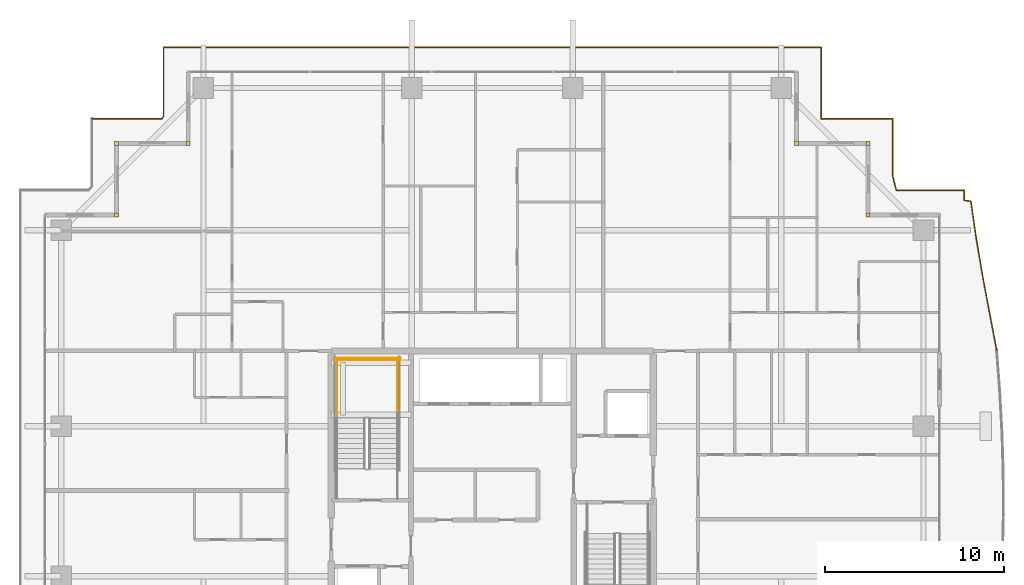
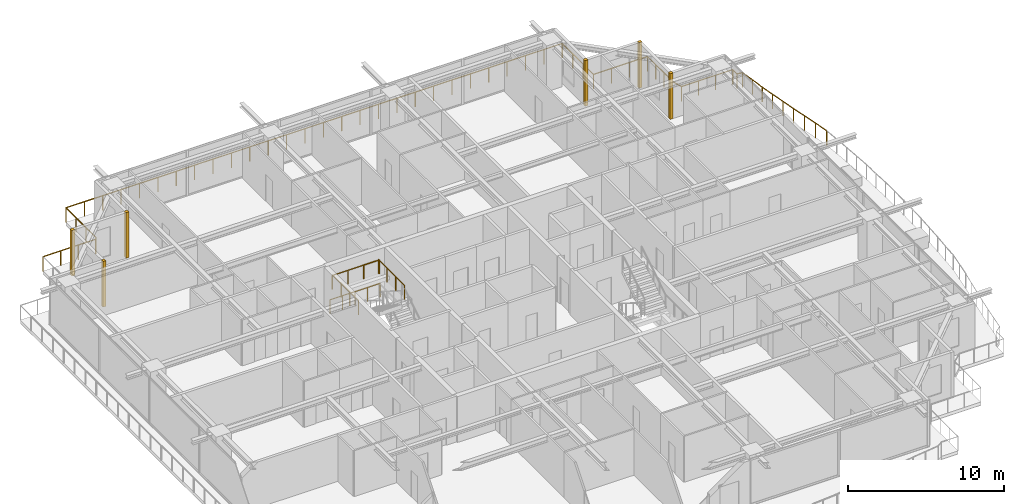
# One storey, part 38 of 38: 6 coverings, 6 railings.
"""IFC4 building model written with IfcOpenShell, lengths in metres."""

from ifc_helpers import new_model, si_unit, direction, frame, origin, origin_2d, place, context, subcontext, project, spatial, rectangle, circle, extrude, source, transform, mapped, material, layer, layer_set, type_object, element, save


model = new_model("IFC4")

# Units and contexts
model_context = context("Model", 3, precision=1e-05, world=origin(), true_north=direction((0.0, 1.0)))
body_context = subcontext(model_context, "Body", "Model", "MODEL_VIEW")
ifc_project = project(units=[si_unit("LENGTHUNIT", "METRE"), si_unit("AREAUNIT", "SQUARE_METRE"), si_unit("VOLUMEUNIT", "CUBIC_METRE"), si_unit("PLANEANGLEUNIT", "RADIAN"), si_unit("MASSUNIT", "GRAM", prefix="KILO")], contexts=[model_context])

# Site, building, storey
site_placement = place(None, origin())
site = spatial("IfcSite", under=ifc_project, at=site_placement, CompositionType="ELEMENT")
building_placement = place(site_placement, origin())
building = spatial("IfcBuilding", under=site, at=building_placement, Name="Serunith Strait Residences", CompositionType="ELEMENT")
storey_placement = place(building_placement, frame((0.0, 0.0, 245.10009765625)))
storey = spatial("IfcBuildingStorey", under=building, at=storey_placement, Name="L61", CompositionType="ELEMENT", Elevation=245.10009765625)

# Railings
ifc_material_1 = material(Name="Stainless Steel & Laminated Glass Balustrade", Category="steel")
railing_type_1 = type_object("IfcRailingType", Name="RLG-BALC-1150", PredefinedType="BALUSTRADE", material=ifc_material_1)
railing_1_placement = place(storey_placement, frame((10.02001953125, 46.580078125, -0.050048828125)))
element("IfcRailing", 1, at=railing_1_placement, inside=storey, type_object=railing_type_1, Name="L61 Swirling Balcony Perimeter Balustrade 2", PredefinedType="BALUSTRADE", context=body_context, shape_type="SweptSolid", body=[
    extrude(circle(Radius=0.02392578125, at=origin_2d()), frame((0.001953125, 0.0, 1.1259765625), z_axis=(1.0, 0.0, 0.0), x_axis=(0.0, 1.0, 0.0)), (0.0, 0.0, 1.0), 3.89501953125),
    extrude(circle(Radius=0.02392578125, at=origin_2d()), frame((3.89990234375, 0.001708984375, 1.1259765625), z_axis=(0.547356223896, 0.836899733638, 0.0), x_axis=(-0.836899733638, 0.547356223896, 0.0)), (0.0, 0.0, 1.0), 0.1806640625),
    extrude(circle(Radius=0.02392578125, at=origin_2d()), frame((4.0, 0.156494140625, 1.1259765625), z_axis=(0.0, 1.0, 0.0), x_axis=(-1.0, 0.0, 0.0)), (0.0, 0.0, 1.0), 3.841552734375),
    extrude(circle(Radius=0.02392578125, at=origin_2d()), frame((4.001953125, 4.0, 1.1259765625), z_axis=(1.0, 0.0, 0.0), x_axis=(0.0, 1.0, 0.0)), (0.0, 0.0, 1.0), 36.756103515625),
    extrude(circle(Radius=0.02392578125, at=origin_2d()), frame((40.760009765625, 3.998046875, 1.1259765625), z_axis=(0.0, -1.0, 0.0), x_axis=(1.0, 0.0, 0.0)), (0.0, 0.0, 1.0), 3.99609375),
    extrude(circle(Radius=0.02392578125, at=origin_2d()), frame((40.761962890625, 0.0, 1.1259765625), z_axis=(1.0, 0.0, 0.0), x_axis=(0.0, 1.0, 0.0)), (0.0, 0.0, 1.0), 3.99609375),
    extrude(circle(Radius=0.02392578125, at=origin_2d()), frame((44.760009765625, -0.001953125, 1.1259765625), z_axis=(0.0, -1.0, 0.0), x_axis=(1.0, 0.0, 0.0)), (0.0, 0.0, 1.0), 3.17578125),
    extrude(circle(Radius=0.02392578125, at=origin_2d()), frame((44.760498046875, -3.181640625, 1.1259765625), z_axis=(0.23845300053, -0.971154038522, 0.0), x_axis=(0.971154038522, 0.23845300053, 0.0)), (0.0, 0.0, 1.0), 0.840576171875),
    extrude(circle(Radius=0.02099609375, at=origin_2d()), origin(), (0.0, 0.0, 1.0), 1.099853515625),
    extrude(circle(Radius=0.02099609375, at=origin_2d()), frame((1.299560546875, 0.0, 0.0)), (0.0, 0.0, 1.0), 1.099853515625),
    extrude(circle(Radius=0.02099609375, at=origin_2d()), frame((2.599365234375, 0.0, 0.0)), (0.0, 0.0, 1.0), 1.099853515625),
    extrude(circle(Radius=0.02099609375, at=origin_2d()), frame((3.89892578125, 0.0, 0.0)), (0.0, 0.0, 1.0), 1.099853515625),
    extrude(circle(Radius=0.02099609375, at=origin_2d()), frame((4.0, 0.154541015625, 0.0)), (0.0, 0.0, 1.0), 1.099853515625),
    extrude(circle(Radius=0.02099609375, at=origin_2d()), frame((4.0, 1.436279296875, 0.0)), (0.0, 0.0, 1.0), 1.099853515625),
    extrude(circle(Radius=0.02099609375, at=origin_2d()), frame((4.0, 2.71826171875, 0.0)), (0.0, 0.0, 1.0), 1.099853515625),
    extrude(circle(Radius=0.02099609375, at=origin_2d()), frame((4.0, 4.0, 0.0)), (0.0, 0.0, 1.0), 1.099853515625),
    extrude(circle(Radius=0.02099609375, at=origin_2d()), frame((5.361572265625, 4.0, 0.0)), (0.0, 0.0, 1.0), 1.099853515625),
    extrude(circle(Radius=0.02099609375, at=origin_2d()), frame((6.722900390625, 4.0, 0.0)), (0.0, 0.0, 1.0), 1.099853515625),
    extrude(circle(Radius=0.02099609375, at=origin_2d()), frame((8.08447265625, 4.0, 0.0)), (0.0, 0.0, 1.0), 1.099853515625),
    extrude(circle(Radius=0.02099609375, at=origin_2d()), frame((9.446044921875, 4.0, 0.0)), (0.0, 0.0, 1.0), 1.099853515625),
    extrude(circle(Radius=0.02099609375, at=origin_2d()), frame((10.807373046875, 4.0, 0.0)), (0.0, 0.0, 1.0), 1.099853515625),
    extrude(circle(Radius=0.02099609375, at=origin_2d()), frame((12.1689453125, 4.0, 0.0)), (0.0, 0.0, 1.0), 1.099853515625),
    extrude(circle(Radius=0.02099609375, at=origin_2d()), frame((13.5302734375, 4.0, 0.0)), (0.0, 0.0, 1.0), 1.099853515625),
    extrude(circle(Radius=0.02099609375, at=origin_2d()), frame((14.891845703125, 4.0, 0.0)), (0.0, 0.0, 1.0), 1.099853515625),
    extrude(circle(Radius=0.02099609375, at=origin_2d()), frame((16.25341796875, 4.0, 0.0)), (0.0, 0.0, 1.0), 1.099853515625),
    extrude(circle(Radius=0.02099609375, at=origin_2d()), frame((17.61474609375, 4.0, 0.0)), (0.0, 0.0, 1.0), 1.099853515625),
    extrude(circle(Radius=0.02099609375, at=origin_2d()), frame((18.976318359375, 4.0, 0.0)), (0.0, 0.0, 1.0), 1.099853515625),
    extrude(circle(Radius=0.02099609375, at=origin_2d()), frame((20.337890625, 4.0, 0.0)), (0.0, 0.0, 1.0), 1.099853515625),
    extrude(circle(Radius=0.02099609375, at=origin_2d()), frame((21.69921875, 4.0, 0.0)), (0.0, 0.0, 1.0), 1.099853515625),
    extrude(circle(Radius=0.02099609375, at=origin_2d()), frame((23.060791015625, 4.0, 0.0)), (0.0, 0.0, 1.0), 1.099853515625),
    extrude(circle(Radius=0.02099609375, at=origin_2d()), frame((24.422119140625, 4.0, 0.0)), (0.0, 0.0, 1.0), 1.099853515625),
    extrude(circle(Radius=0.02099609375, at=origin_2d()), frame((25.78369140625, 4.0, 0.0)), (0.0, 0.0, 1.0), 1.099853515625),
    extrude(circle(Radius=0.02099609375, at=origin_2d()), frame((27.145263671875, 4.0, 0.0)), (0.0, 0.0, 1.0), 1.099853515625),
    extrude(circle(Radius=0.02099609375, at=origin_2d()), frame((28.506591796875, 4.0, 0.0)), (0.0, 0.0, 1.0), 1.099853515625),
    extrude(circle(Radius=0.02099609375, at=origin_2d()), frame((29.8681640625, 4.0, 0.0)), (0.0, 0.0, 1.0), 1.099853515625),
    extrude(circle(Radius=0.02099609375, at=origin_2d()), frame((31.229736328125, 4.0, 0.0)), (0.0, 0.0, 1.0), 1.099853515625),
    extrude(circle(Radius=0.02099609375, at=origin_2d()), frame((32.591064453125, 4.0, 0.0)), (0.0, 0.0, 1.0), 1.099853515625),
    extrude(circle(Radius=0.02099609375, at=origin_2d()), frame((33.95263671875, 4.0, 0.0)), (0.0, 0.0, 1.0), 1.099853515625),
    extrude(circle(Radius=0.02099609375, at=origin_2d()), frame((35.31396484375, 4.0, 0.0)), (0.0, 0.0, 1.0), 1.099853515625),
    extrude(circle(Radius=0.02099609375, at=origin_2d()), frame((36.675537109375, 4.0, 0.0)), (0.0, 0.0, 1.0), 1.099853515625),
    extrude(circle(Radius=0.02099609375, at=origin_2d()), frame((38.037109375, 4.0, 0.0)), (0.0, 0.0, 1.0), 1.099853515625),
    extrude(circle(Radius=0.02099609375, at=origin_2d()), frame((39.3984375, 4.0, 0.0)), (0.0, 0.0, 1.0), 1.099853515625),
    extrude(circle(Radius=0.02099609375, at=origin_2d()), frame((40.760009765625, 4.0, 0.0)), (0.0, 0.0, 1.0), 1.099853515625),
    extrude(circle(Radius=0.02099609375, at=origin_2d()), frame((40.760009765625, 2.666748046875, 0.0)), (0.0, 0.0, 1.0), 1.099853515625),
    extrude(circle(Radius=0.02099609375, at=origin_2d()), frame((40.760009765625, 1.333251953125, 0.0)), (0.0, 0.0, 1.0), 1.099853515625),
    extrude(circle(Radius=0.02099609375, at=origin_2d()), frame((40.760009765625, 0.0, 0.0)), (0.0, 0.0, 1.0), 1.099853515625),
    extrude(circle(Radius=0.02099609375, at=origin_2d()), frame((42.09326171875, 0.0, 0.0)), (0.0, 0.0, 1.0), 1.099853515625),
    extrude(circle(Radius=0.02099609375, at=origin_2d()), frame((43.4267578125, 0.0, 0.0)), (0.0, 0.0, 1.0), 1.099853515625),
    extrude(circle(Radius=0.02099609375, at=origin_2d()), frame((44.760009765625, 0.0, 0.0)), (0.0, 0.0, 1.0), 1.099853515625),
    extrude(circle(Radius=0.02099609375, at=origin_2d()), frame((44.760009765625, -1.059814453125, 0.0)), (0.0, 0.0, 1.0), 1.099853515625),
    extrude(circle(Radius=0.02099609375, at=origin_2d()), frame((44.760009765625, -2.119873046875, 0.0)), (0.0, 0.0, 1.0), 1.099853515625),
    extrude(circle(Radius=0.02099609375, at=origin_2d()), frame((44.760009765625, -3.1796875, 0.0)), (0.0, 0.0, 1.0), 1.099853515625),
    extrude(circle(Radius=0.02099609375, at=origin_2d()), frame((44.96142578125, -4.0, 0.0)), (0.0, 0.0, 1.0), 1.099853515625),
])
railing_2_placement = place(storey_placement, frame((54.9814453125, 42.580078125, -0.050048828125)))
element("IfcRailing", 2, at=railing_2_placement, inside=storey, type_object=railing_type_1, Name="L61 Swirling Balcony Perimeter Balustrade 3", PredefinedType="BALUSTRADE", context=body_context, shape_type="SweptSolid", body=[
    extrude(circle(Radius=0.02392578125, at=origin_2d()), frame((0.001953125, 0.0, 1.1259765625), z_axis=(1.0, 0.0, 0.0), x_axis=(0.0, 1.0, 0.0)), (0.0, 0.0, 1.0), 3.794677734375),
    extrude(circle(Radius=0.02392578125, at=origin_2d()), frame((3.798583984375, -0.001953125, 1.1259765625), z_axis=(0.0, -1.0, 0.0), x_axis=(1.0, 0.0, 0.0)), (0.0, 0.0, 1.0), 0.549072265625),
    extrude(circle(Radius=0.02392578125, at=origin_2d()), frame((3.800537109375, -0.55322265625, 1.1259765625), z_axis=(0.98630638467, -0.164923362683, 0.0), x_axis=(0.164923362683, 0.98630638467, 0.0)), (0.0, 0.0, 1.0), 0.37353515625),
    extrude(circle(Radius=0.02392578125, at=origin_2d()), frame((4.171142578125, -0.6171875, 1.1259765625), z_axis=(0.142172731781, -0.989841863298, 0.0), x_axis=(0.989841863298, 0.142172731781, 0.0)), (0.0, 0.0, 1.0), 2.04296875),
    extrude(circle(Radius=0.02392578125, at=origin_2d()), frame((4.462158203125, -2.643310546875, 1.1259765625), z_axis=(0.166780956731, -0.985993971823, 0.0), x_axis=(0.985993971823, 0.166780956731, 0.0)), (0.0, 0.0, 1.0), 2.0732421875),
    extrude(circle(Radius=0.02392578125, at=origin_2d()), frame((4.808837890625, -4.69140625, 1.1259765625), z_axis=(0.184142790726, -0.98289950281, 0.0), x_axis=(0.98289950281, 0.184142790726, 0.0)), (0.0, 0.0, 1.0), 2.119873046875),
    extrude(circle(Radius=0.02392578125, at=origin_2d()), frame((5.199951171875, -6.779052734375, 1.1259765625), z_axis=(0.187877288067, -0.982192508945, 0.0), x_axis=(0.982192508945, 0.187877288067, 0.0)), (0.0, 0.0, 1.0), 2.180419921875),
    extrude(circle(Radius=0.02099609375, at=origin_2d()), origin(), (0.0, 0.0, 1.0), 1.099853515625),
    extrude(circle(Radius=0.02099609375, at=origin_2d()), frame((1.26611328125, 0.0, 0.0)), (0.0, 0.0, 1.0), 1.099853515625),
    extrude(circle(Radius=0.02099609375, at=origin_2d()), frame((2.532470703125, 0.0, 0.0)), (0.0, 0.0, 1.0), 1.099853515625),
    extrude(circle(Radius=0.02099609375, at=origin_2d()), frame((3.798583984375, 0.0, 0.0)), (0.0, 0.0, 1.0), 1.099853515625),
    extrude(circle(Radius=0.02099609375, at=origin_2d()), frame((3.798583984375, -0.552978515625, 0.0)), (0.0, 0.0, 1.0), 1.099853515625),
    extrude(circle(Radius=0.02099609375, at=origin_2d()), frame((4.1708984375, -0.615234375, 0.0)), (0.0, 0.0, 1.0), 1.099853515625),
    extrude(circle(Radius=0.02099609375, at=origin_2d()), frame((4.31640625, -1.62841796875, 0.0)), (0.0, 0.0, 1.0), 1.099853515625),
    extrude(circle(Radius=0.02099609375, at=origin_2d()), frame((4.4619140625, -2.641357421875, 0.0)), (0.0, 0.0, 1.0), 1.099853515625),
    extrude(circle(Radius=0.02099609375, at=origin_2d()), frame((4.63525390625, -3.66552734375, 0.0)), (0.0, 0.0, 1.0), 1.099853515625),
    extrude(circle(Radius=0.02099609375, at=origin_2d()), frame((4.808349609375, -4.689453125, 0.0)), (0.0, 0.0, 1.0), 1.099853515625),
    extrude(circle(Radius=0.02099609375, at=origin_2d()), frame((5.00390625, -5.7333984375, 0.0)), (0.0, 0.0, 1.0), 1.099853515625),
    extrude(circle(Radius=0.02099609375, at=origin_2d()), frame((5.199462890625, -6.777099609375, 0.0)), (0.0, 0.0, 1.0), 1.099853515625),
    extrude(circle(Radius=0.02099609375, at=origin_2d()), frame((5.40478515625, -7.849853515625, 0.0)), (0.0, 0.0, 1.0), 1.099853515625),
    extrude(circle(Radius=0.02099609375, at=origin_2d()), frame((5.60986328125, -8.922607421875, 0.0)), (0.0, 0.0, 1.0), 1.099853515625),
])
ifc_material_2 = material(Name="Brushed stainless steel 316L", Category="steel")
railing_type_2 = type_object("IfcRailingType", Name="RLG-STAIR-GUARD", PredefinedType="BALUSTRADE", material=ifc_material_2)
for number, where, name in (
    (3, (27.10009765625, 29.830078125, 1.9248046875), "L61 ST-1 stair guard 3"),
    (4, (23.699951171875, 29.830078125, 1.9248046875), "L61 ST-1 stair guard 4"),
):
    element("IfcRailing", number, at=place(storey_placement, frame(where)), inside=storey, type_object=railing_type_2, Name=name, PredefinedType="BALUSTRADE", context=body_context, shape_type="SweptSolid", body=[
        extrude(circle(Radius=0.02392578125, at=origin_2d()), frame((0.0, 0.001953125, 1.076171875), z_axis=(0.0, 1.0, 0.0), x_axis=(-1.0, 0.0, 0.0)), (0.0, 0.0, 1.0), 3.31591796875),
        extrude(circle(Radius=0.02099609375, at=origin_2d()), origin(), (0.0, 0.0, 1.0), 1.050048828125),
        extrude(circle(Radius=0.02099609375, at=origin_2d()), frame((0.0, 1.106689453125, 0.0)), (0.0, 0.0, 1.0), 1.050048828125),
        extrude(circle(Radius=0.02099609375, at=origin_2d()), frame((0.0, 2.213134765625, 0.0)), (0.0, 0.0, 1.0), 1.050048828125),
        extrude(circle(Radius=0.02099609375, at=origin_2d()), frame((0.0, 3.31982421875, 0.0)), (0.0, 0.0, 1.0), 1.050048828125),
    ])
railing_3_placement = place(storey_placement, frame((27.14990234375, 33.10009765625, 1.9248046875)))
element("IfcRailing", 5, at=railing_3_placement, inside=storey, type_object=railing_type_2, Name="L61 ST-1 stair guard 5", PredefinedType="BALUSTRADE", context=body_context, shape_type="SweptSolid", body=[
    extrude(circle(Radius=0.02392578125, at=origin_2d()), frame((-0.001953125, 0.0, 1.076171875), z_axis=(-1.0, 0.0, 0.0), x_axis=(0.0, -1.0, 0.0)), (0.0, 0.0, 1.0), 3.49609375),
    extrude(circle(Radius=0.02099609375, at=origin_2d()), origin(), (0.0, 0.0, 1.0), 1.050048828125),
    extrude(circle(Radius=0.02099609375, at=origin_2d()), frame((-1.166748046875, 0.0, 0.0)), (0.0, 0.0, 1.0), 1.050048828125),
    extrude(circle(Radius=0.02099609375, at=origin_2d()), frame((-2.333251953125, 0.0, 0.0)), (0.0, 0.0, 1.0), 1.050048828125),
    extrude(circle(Radius=0.02099609375, at=origin_2d()), frame((-3.5, 0.0, 0.0)), (0.0, 0.0, 1.0), 1.050048828125),
])
railing_4_placement = place(storey_placement, frame((27.25, 33.199951171875, 0.0)))
element("IfcRailing", 6, at=railing_4_placement, inside=storey, type_object=railing_type_2, Name="L61 ST-1 stair guard 12", PredefinedType="BALUSTRADE", context=body_context, shape_type="SweptSolid", body=[
    extrude(circle(Radius=0.02392578125, at=origin_2d()), frame((-0.001953125, 0.0, 1.076171875), z_axis=(-1.0, 0.0, 0.0), x_axis=(0.0, -1.0, 0.0)), (0.0, 0.0, 1.0), 3.696044921875),
    extrude(circle(Radius=0.02099609375, at=origin_2d()), origin(), (0.0, 0.0, 1.0), 1.050048828125),
    extrude(circle(Radius=0.02099609375, at=origin_2d()), frame((-0.925048828125, 0.0, 0.0)), (0.0, 0.0, 1.0), 1.050048828125),
    extrude(circle(Radius=0.02099609375, at=origin_2d()), frame((-1.85009765625, 0.0, 0.0)), (0.0, 0.0, 1.0), 1.050048828125),
    extrude(circle(Radius=0.02099609375, at=origin_2d()), frame((-2.77490234375, 0.0, 0.0)), (0.0, 0.0, 1.0), 1.050048828125),
    extrude(circle(Radius=0.02099609375, at=origin_2d()), frame((-3.699951171875, 0.0, 0.0)), (0.0, 0.0, 1.0), 1.050048828125),
])

# Coverings
ifc_material_3 = material(Name="Pale-Champagne Anodised Aluminium", Category="aluminium")
ifc_layer = layer(ifc_material_3, 0.219970703125, Name="Pale-Champagne Anodised Aluminium")
ifc_layer_set = layer_set([ifc_layer], Name="Pale-Champagne Anodised Aluminium")
covering_type = type_object("IfcCoveringType", Name="COV-CORN-TRIM", PredefinedType="CLADDING", material=ifc_layer_set)
shared_shape = source(origin(), body_context, "Body", "SweptSolid", [
    extrude(rectangle(XDim=0.221923828125, YDim=0.221923828125, at=origin_2d()), origin(), (0.0, 0.0, 1.0), 3.574951171875),
])
for number, where, z_axis, x_axis, name in (
    (7, (53.39990234375, 41.199951171875, 0.0), (0.0, 0.0, 1.0), (1.0, 0.0, 0.0), "L61 Girih Serrated Corner Trim Post 07"),
    (8, (53.39990234375, 45.199951171875, 0.0), (0.0, 0.0, 1.0), (1.0, 0.0, 0.0), "L61 Girih Serrated Corner Trim Post 08"),
    (9, (49.39990234375, 45.199951171875, 0.0), (0.0, 0.0, 1.0), (1.0, 0.0, 0.0), "L61 Girih Serrated Corner Trim Post 09"),
    (10, (15.39990234375, 45.199951171875, 0.0), (0.0, 0.0, 1.0), (1.0, 0.0, 0.0), "L61 Girih Serrated Corner Trim Post 12"),
    (11, (11.39990234375, 45.199951171875, 0.0), (0.0, 0.0, 1.0), (1.0, 0.0, 0.0), "L61 Girih Serrated Corner Trim Post 13"),
    (12, (11.39990234375, 41.199951171875, 0.0), (0.0, 0.0, 1.0), (1.0, 0.0, 0.0), "L61 Girih Serrated Corner Trim Post 14"),
):
    element("IfcCovering", number, at=place(storey_placement, frame(where, z_axis=z_axis, x_axis=x_axis)), inside=storey, type_object=covering_type, Name=name, PredefinedType="CLADDING", context=body_context, shape_type="MappedRepresentation", body=[
        mapped(shared_shape, transform((0.0, 0.0, 0.0), scale=1.0)),
    ])

save(model, "model.ifc")
